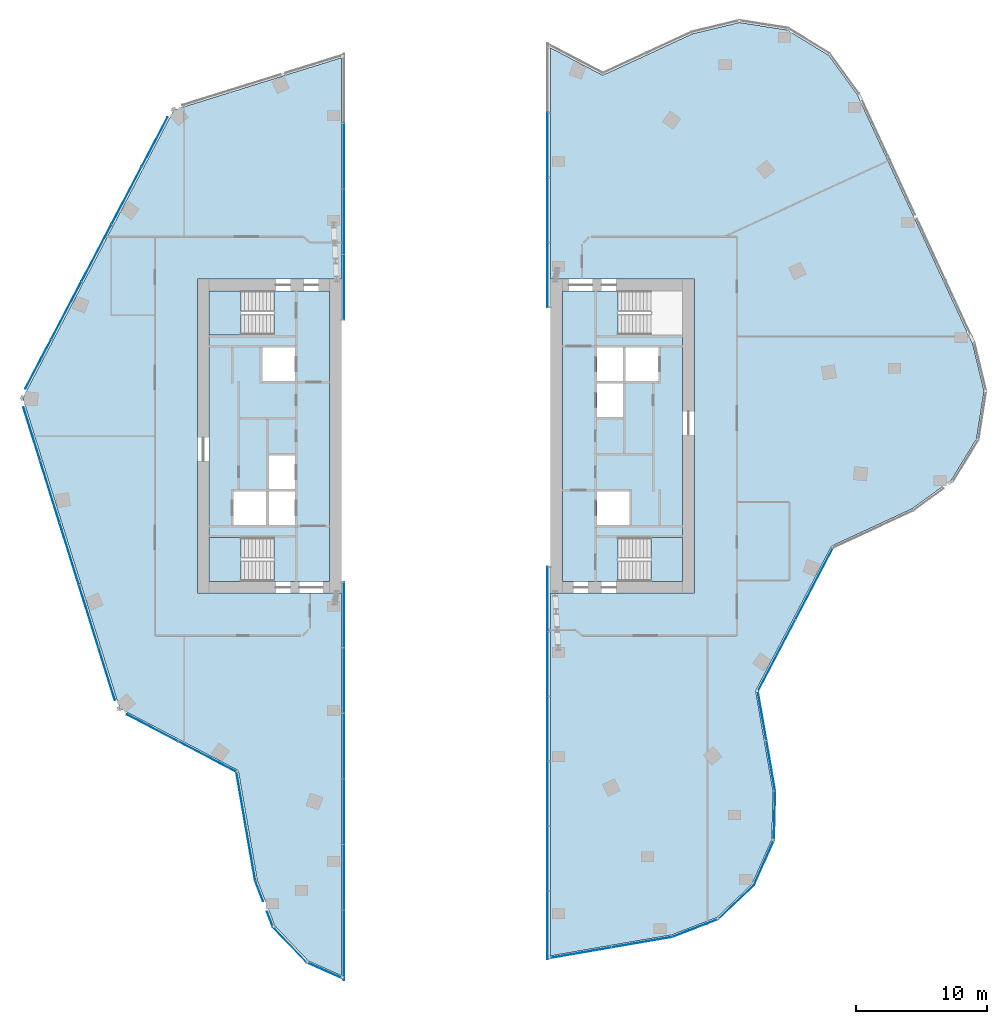
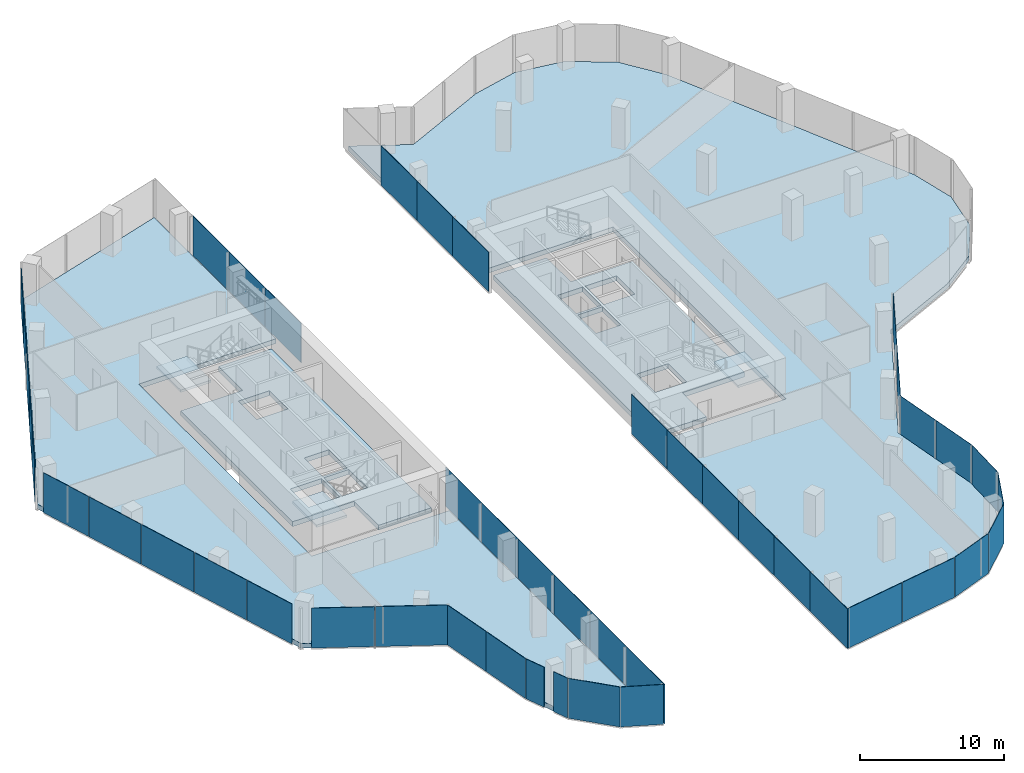
# One storey, part 16 of 23: 46 plates, 7 slabs, 19 elements without a shape of their own.
"""IFC4 building model written with IfcOpenShell, lengths in metres."""

from ifc_helpers import new_model, si_unit, direction, frame, origin, origin_2d, place, context, subcontext, project, spatial, polyline, rectangle, outline, extrude, material, layer, layer_set, type_object, element, aggregate, save


model = new_model("IFC4")

# Units and contexts
model_context = context("Model", 3, precision=1e-05, world=origin(), true_north=direction((0.0, 1.0)))
body_context = subcontext(model_context, "Body", "Model", "MODEL_VIEW")
ifc_project = project(units=[si_unit("LENGTHUNIT", "METRE"), si_unit("AREAUNIT", "SQUARE_METRE"), si_unit("VOLUMEUNIT", "CUBIC_METRE"), si_unit("PLANEANGLEUNIT", "RADIAN"), si_unit("MASSUNIT", "GRAM", prefix="KILO")], contexts=[model_context])

# Site, building, storey
site_placement = place(None, origin())
site = spatial("IfcSite", under=ifc_project, at=site_placement, CompositionType="ELEMENT")
building_placement = place(site_placement, origin())
building = spatial("IfcBuilding", under=site, at=building_placement, Name="Orlundy Tower", CompositionType="ELEMENT")
storey_placement = place(building_placement, frame((0.0, 0.0, 264.0)))
storey = spatial("IfcBuildingStorey", under=building, at=storey_placement, Name="L70", CompositionType="ELEMENT", Elevation=264.0)

# Curtain wall, plates
ifc_material_1 = material(Name="Aluminium bronze anodised", Category="aluminium")
curtain_wall_type = type_object("IfcCurtainWallType", Name="CW1 wall", PredefinedType="NOTDEFINED", material=ifc_material_1)
curtain_wall_1_placement = place(storey_placement, origin())
curtain_wall_1 = element("IfcCurtainWall", 1, at=curtain_wall_1_placement, inside=storey, type_object=curtain_wall_type, Name="CW1 run 00", PredefinedType="NOTDEFINED")
ifc_material_2 = material(Name="Tinted glass", Category="glass")
ifc_layer_1 = layer(ifc_material_2, 0.031982421875)
ifc_layer_set_1 = layer_set([ifc_layer_1], Name="CW1 glass panel 32")
plate_type_1 = type_object("IfcPlateType", Name="CW1 glass panel 32", PredefinedType="CURTAIN_PANEL", material=ifc_layer_set_1)
plate_1_placement = place(storey_placement, frame((-18.236328125, -24.4970703125, -0.280029296875), z_axis=(0.0, 0.0, 1.0), x_axis=(-0.885665125804, 0.464324546988, 0.0)))
plate_1 = element("IfcPlate", 2, at=plate_1_placement, type_object=plate_type_1, Name="CW1 panel", PredefinedType="CURTAIN_PANEL", context=body_context, shape_type="SweptSolid", body=[
    extrude(rectangle(XDim=5.01220703125, YDim=0.031982421875, at=origin_2d()), origin(), (0.0, 0.0, 1.0), 3.3798828125),
])
plate_2_placement = place(storey_placement, frame((-22.4384765625, -22.2939453125, -0.280029296875), z_axis=(0.0, 0.0, 1.0), x_axis=(-0.885665125804, 0.464324546988, 0.0)))
plate_2 = element("IfcPlate", 3, at=plate_2_placement, type_object=plate_type_1, Name="CW1 panel", PredefinedType="CURTAIN_PANEL", context=body_context, shape_type="SweptSolid", body=[
    extrude(rectangle(XDim=4.376953125, YDim=0.031982421875, at=origin_2d()), origin(), (0.0, 0.0, 1.0), 3.3798828125),
])
aggregate(curtain_wall_1, [plate_1, plate_2])

curtain_wall_2_placement = place(storey_placement, origin())
curtain_wall_2 = element("IfcCurtainWall", 4, at=curtain_wall_2_placement, inside=storey, type_object=curtain_wall_type, Name="CW1 run 01", PredefinedType="NOTDEFINED")
plate_3_placement = place(storey_placement, frame((-25.935302734375, -18.14599609375, -0.280029296875), z_axis=(0.0, 0.0, 1.0), x_axis=(-0.297954226643, 0.954580158408, 0.0)))
plate_3 = element("IfcPlate", 5, at=plate_3_placement, type_object=plate_type_1, Name="CW1 panel", PredefinedType="CURTAIN_PANEL", context=body_context, shape_type="SweptSolid", body=[
    extrude(rectangle(XDim=4.228271484375, YDim=0.031982421875, at=origin_2d()), origin(), (0.0, 0.0, 1.0), 3.3798828125),
])
plate_4_placement = place(storey_placement, frame((-27.31298828125, -13.731689453125, -0.280029296875), z_axis=(0.0, 0.0, 1.0), x_axis=(-0.297954226643, 0.954580158408, 0.0)))
plate_4 = element("IfcPlate", 6, at=plate_4_placement, type_object=plate_type_1, Name="CW1 panel", PredefinedType="CURTAIN_PANEL", context=body_context, shape_type="SweptSolid", body=[
    extrude(rectangle(XDim=4.920654296875, YDim=0.031982421875, at=origin_2d()), origin(), (0.0, 0.0, 1.0), 3.3798828125),
])
plate_5_placement = place(storey_placement, frame((-28.7939453125, -8.98681640625, -0.280029296875), z_axis=(0.0, 0.0, 1.0), x_axis=(-0.297954226643, 0.954580158408, 0.0)))
plate_5 = element("IfcPlate", 7, at=plate_5_placement, type_object=plate_type_1, Name="CW1 panel", PredefinedType="CURTAIN_PANEL", context=body_context, shape_type="SweptSolid", body=[
    extrude(rectangle(XDim=4.920654296875, YDim=0.031982421875, at=origin_2d()), origin(), (0.0, 0.0, 1.0), 3.3798828125),
])
plate_6_placement = place(storey_placement, frame((-30.275146484375, -4.241943359375, -0.280029296875), z_axis=(0.0, 0.0, 1.0), x_axis=(-0.297954226643, 0.954580158408, 0.0)))
plate_6 = element("IfcPlate", 8, at=plate_6_placement, type_object=plate_type_1, Name="CW1 panel", PredefinedType="CURTAIN_PANEL", context=body_context, shape_type="SweptSolid", body=[
    extrude(rectangle(XDim=4.920654296875, YDim=0.031982421875, at=origin_2d()), origin(), (0.0, 0.0, 1.0), 3.3798828125),
])
plate_7_placement = place(storey_placement, frame((-31.653076171875, 0.1728515625, -0.280029296875), z_axis=(0.0, 0.0, 1.0), x_axis=(-0.297954226643, 0.954580158408, 0.0)))
plate_7 = element("IfcPlate", 9, at=plate_7_placement, type_object=plate_type_1, Name="CW1 panel", PredefinedType="CURTAIN_PANEL", context=body_context, shape_type="SweptSolid", body=[
    extrude(rectangle(XDim=4.229248046875, YDim=0.031982421875, at=origin_2d()), origin(), (0.0, 0.0, 1.0), 3.3798828125),
])
aggregate(curtain_wall_2, [plate_3, plate_4, plate_5, plate_6, plate_7])

curtain_wall_3_placement = place(storey_placement, origin())
curtain_wall_3 = element("IfcCurtainWall", 10, at=curtain_wall_3_placement, inside=storey, type_object=curtain_wall_type, Name="CW1 run 02", PredefinedType="NOTDEFINED")
plate_8_placement = place(storey_placement, frame((-31.17041015625, 5.5078125, -0.280029296875), z_axis=(0.0, 0.0, 1.0), x_axis=(0.464336233904, 0.885658998646, 0.0)))
plate_8 = element("IfcPlate", 11, at=plate_8_placement, type_object=plate_type_1, Name="CW1 panel", PredefinedType="CURTAIN_PANEL", context=body_context, shape_type="SweptSolid", body=[
    extrude(rectangle(XDim=4.228271484375, YDim=0.031982421875, at=origin_2d()), origin(), (0.0, 0.0, 1.0), 3.3798828125),
])
plate_9_placement = place(storey_placement, frame((-29.023193359375, 9.603515625, -0.280029296875), z_axis=(0.0, 0.0, 1.0), x_axis=(0.464336233904, 0.885658998646, 0.0)))
plate_9 = element("IfcPlate", 12, at=plate_9_placement, type_object=plate_type_1, Name="CW1 panel", PredefinedType="CURTAIN_PANEL", context=body_context, shape_type="SweptSolid", body=[
    extrude(rectangle(XDim=4.920654296875, YDim=0.031982421875, at=origin_2d()), origin(), (0.0, 0.0, 1.0), 3.3798828125),
])
plate_10_placement = place(storey_placement, frame((-26.71533203125, 14.005615234375, -0.280029296875), z_axis=(0.0, 0.0, 1.0), x_axis=(0.464336233904, 0.885658998646, 0.0)))
plate_10 = element("IfcPlate", 13, at=plate_10_placement, type_object=plate_type_1, Name="CW1 panel", PredefinedType="CURTAIN_PANEL", context=body_context, shape_type="SweptSolid", body=[
    extrude(rectangle(XDim=4.920654296875, YDim=0.031982421875, at=origin_2d()), origin(), (0.0, 0.0, 1.0), 3.3798828125),
])
plate_11_placement = place(storey_placement, frame((-24.4072265625, 18.407958984375, -0.280029296875), z_axis=(0.0, 0.0, 1.0), x_axis=(0.464336233904, 0.885658998646, 0.0)))
plate_11 = element("IfcPlate", 14, at=plate_11_placement, type_object=plate_type_1, Name="CW1 panel", PredefinedType="CURTAIN_PANEL", context=body_context, shape_type="SweptSolid", body=[
    extrude(rectangle(XDim=4.920654296875, YDim=0.031982421875, at=origin_2d()), origin(), (0.0, 0.0, 1.0), 3.3798828125),
])
plate_12_placement = place(storey_placement, frame((-22.259765625, 22.50390625, -0.280029296875), z_axis=(0.0, 0.0, 1.0), x_axis=(0.464336233904, 0.885658998646, 0.0)))
plate_12 = element("IfcPlate", 15, at=plate_12_placement, type_object=plate_type_1, Name="CW1 panel", PredefinedType="CURTAIN_PANEL", context=body_context, shape_type="SweptSolid", body=[
    extrude(rectangle(XDim=4.229248046875, YDim=0.031982421875, at=origin_2d()), origin(), (0.0, 0.0, 1.0), 3.3798828125),
])
aggregate(curtain_wall_3, [plate_8, plate_9, plate_10, plate_11, plate_12])

# Curtain wall, plate
curtain_wall_4_placement = place(storey_placement, origin())
curtain_wall_4 = element("IfcCurtainWall", 16, at=curtain_wall_4_placement, inside=storey, type_object=curtain_wall_type, Name="CW1 run 05", PredefinedType="NOTDEFINED")
plate_13_placement = place(storey_placement, frame((-9.2275390625, -40.85791015625, -0.280029296875), z_axis=(0.0, 0.0, 1.0), x_axis=(-0.914125034719, 0.405432387581, 0.0)))
plate_13 = element("IfcPlate", 17, at=plate_13_placement, type_object=plate_type_1, Name="CW1 panel", PredefinedType="CURTAIN_PANEL", context=body_context, shape_type="SweptSolid", body=[
    extrude(rectangle(XDim=3.044677734375, YDim=0.031982421875, at=origin_2d()), origin(), (0.0, 0.0, 1.0), 3.3798828125),
])
aggregate(curtain_wall_4, [plate_13])

curtain_wall_5_placement = place(storey_placement, origin())
curtain_wall_5 = element("IfcCurtainWall", 18, at=curtain_wall_5_placement, inside=storey, type_object=curtain_wall_type, Name="CW1 run 06", PredefinedType="NOTDEFINED")
plate_14_placement = place(storey_placement, frame((-11.919677734375, -38.87451171875, -0.280029296875), z_axis=(0.0, 0.0, 1.0), x_axis=(-0.689493494749, 0.724291875351, 0.0)))
plate_14 = element("IfcPlate", 19, at=plate_14_placement, type_object=plate_type_1, Name="CW1 panel", PredefinedType="CURTAIN_PANEL", context=body_context, shape_type="SweptSolid", body=[
    extrude(rectangle(XDim=3.772216796875, YDim=0.031982421875, at=origin_2d()), origin(), (0.0, 0.0, 1.0), 3.3798828125),
])
aggregate(curtain_wall_5, [plate_14])

# Curtain wall, plates
curtain_wall_6_placement = place(storey_placement, origin())
curtain_wall_6 = element("IfcCurtainWall", 20, at=curtain_wall_6_placement, inside=storey, type_object=curtain_wall_type, Name="CW1 run 07", PredefinedType="NOTDEFINED")
plate_15_placement = place(storey_placement, frame((-13.44482421875, -36.92578125, -0.280029296875), z_axis=(0.0, 0.0, 1.0), x_axis=(-0.359593615358, 0.933109013885, 0.0)))
plate_15 = element("IfcPlate", 21, at=plate_15_placement, type_object=plate_type_1, Name="CW1 panel", PredefinedType="CURTAIN_PANEL", context=body_context, shape_type="SweptSolid", body=[
    extrude(rectangle(XDim=1.2490234375, YDim=0.031982421875, at=origin_2d()), origin(), (0.0, 0.0, 1.0), 3.3798828125),
])
plate_16_placement = place(storey_placement, frame((-14.267822265625, -34.7900390625, -0.280029296875), z_axis=(0.0, 0.0, 1.0), x_axis=(-0.359593615358, 0.933109013885, 0.0)))
plate_16 = element("IfcPlate", 22, at=plate_16_placement, type_object=plate_type_1, Name="CW1 panel", PredefinedType="CURTAIN_PANEL", context=body_context, shape_type="SweptSolid", body=[
    extrude(rectangle(XDim=1.634521484375, YDim=0.031982421875, at=origin_2d()), origin(), (0.0, 0.0, 1.0), 3.3798828125),
])
aggregate(curtain_wall_6, [plate_15, plate_16])

curtain_wall_7_placement = place(storey_placement, origin())
curtain_wall_7 = element("IfcCurtainWall", 23, at=curtain_wall_7_placement, inside=storey, type_object=curtain_wall_type, Name="CW1 run 08", PredefinedType="NOTDEFINED")
plate_17_placement = place(storey_placement, frame((-14.9365234375, -31.89404296875, -0.280029296875), z_axis=(0.0, 0.0, 1.0), x_axis=(-0.170762449807, 0.985312227538, 0.0)))
plate_17 = element("IfcPlate", 24, at=plate_17_placement, type_object=plate_type_1, Name="CW1 panel", PredefinedType="CURTAIN_PANEL", context=body_context, shape_type="SweptSolid", body=[
    extrude(rectangle(XDim=4.232177734375, YDim=0.031982421875, at=origin_2d()), origin(), (0.0, 0.0, 1.0), 3.3798828125),
])
plate_18_placement = place(storey_placement, frame((-15.66162109375, -27.710205078125, -0.280029296875), z_axis=(0.0, 0.0, 1.0), x_axis=(-0.170762449807, 0.985312227538, 0.0)))
plate_18 = element("IfcPlate", 25, at=plate_18_placement, type_object=plate_type_1, Name="CW1 panel", PredefinedType="CURTAIN_PANEL", context=body_context, shape_type="SweptSolid", body=[
    extrude(rectangle(XDim=4.160400390625, YDim=0.031982421875, at=origin_2d()), origin(), (0.0, 0.0, 1.0), 3.3798828125),
])
aggregate(curtain_wall_7, [plate_17, plate_18])

curtain_wall_8_placement = place(storey_placement, origin())
curtain_wall_8 = element("IfcCurtainWall", 26, at=curtain_wall_8_placement, inside=storey, type_object=curtain_wall_type, Name="CW1 run 111", PredefinedType="NOTDEFINED")
plate_19_placement = place(storey_placement, frame((28.15771484375, -11.25439453125, -0.280029296875), z_axis=(0.0, 0.0, 1.0), x_axis=(-0.464333145939, -0.885660617608, 0.0)))
plate_19 = element("IfcPlate", 27, at=plate_19_placement, type_object=plate_type_1, Name="CW1 panel", PredefinedType="CURTAIN_PANEL", context=body_context, shape_type="SweptSolid", body=[
    extrude(rectangle(XDim=6.16259765625, YDim=0.031982421875, at=origin_2d()), origin(), (0.0, 0.0, 1.0), 3.3798828125),
])
plate_20_placement = place(storey_placement, frame((25.27294921875, -16.7568359375, -0.280029296875), z_axis=(0.0, 0.0, 1.0), x_axis=(-0.464333145939, -0.885660617608, 0.0)))
plate_20 = element("IfcPlate", 28, at=plate_20_placement, type_object=plate_type_1, Name="CW1 panel", PredefinedType="CURTAIN_PANEL", context=body_context, shape_type="SweptSolid", body=[
    extrude(rectangle(XDim=6.16259765625, YDim=0.031982421875, at=origin_2d()), origin(), (0.0, 0.0, 1.0), 3.3798828125),
])
aggregate(curtain_wall_8, [plate_19, plate_20])

curtain_wall_9_placement = place(storey_placement, origin())
curtain_wall_9 = element("IfcCurtainWall", 29, at=curtain_wall_9_placement, inside=storey, type_object=curtain_wall_type, Name="CW1 run 112", PredefinedType="NOTDEFINED")
plate_21_placement = place(storey_placement, frame((24.16748046875, -21.363525390625, -0.280029296875), z_axis=(0.0, 0.0, 1.0), x_axis=(0.170728522047, -0.985318106887, 0.0)))
plate_21 = element("IfcPlate", 30, at=plate_21_placement, type_object=plate_type_1, Name="CW1 panel", PredefinedType="CURTAIN_PANEL", context=body_context, shape_type="SweptSolid", body=[
    extrude(rectangle(XDim=3.8115234375, YDim=0.031982421875, at=origin_2d()), origin(), (0.0, 0.0, 1.0), 3.3798828125),
])
plate_22_placement = place(storey_placement, frame((24.830810546875, -25.19140625, -0.280029296875), z_axis=(0.0, 0.0, 1.0), x_axis=(0.170728522047, -0.985318106887, 0.0)))
plate_22 = element("IfcPlate", 31, at=plate_22_placement, type_object=plate_type_1, Name="CW1 panel", PredefinedType="CURTAIN_PANEL", context=body_context, shape_type="SweptSolid", body=[
    extrude(rectangle(XDim=3.858154296875, YDim=0.031982421875, at=origin_2d()), origin(), (0.0, 0.0, 1.0), 3.3798828125),
])
aggregate(curtain_wall_9, [plate_21, plate_22])

# Curtain wall, plate
curtain_wall_10_placement = place(storey_placement, origin())
curtain_wall_10 = element("IfcCurtainWall", 32, at=curtain_wall_10_placement, inside=storey, type_object=curtain_wall_type, Name="CW1 run 113", PredefinedType="NOTDEFINED")
plate_23_placement = place(storey_placement, frame((25.117919921875, -29.00634765625, -0.280029296875), z_axis=(0.0, 0.0, 1.0), x_axis=(-0.024553998372, -0.999698505132, 0.0)))
plate_23 = element("IfcPlate", 33, at=plate_23_placement, type_object=plate_type_1, Name="CW1 panel", PredefinedType="CURTAIN_PANEL", context=body_context, shape_type="SweptSolid", body=[
    extrude(rectangle(XDim=3.729736328125, YDim=0.031982421875, at=origin_2d()), origin(), (0.0, 0.0, 1.0), 3.3798828125),
])
aggregate(curtain_wall_10, [plate_23])

curtain_wall_11_placement = place(storey_placement, origin())
curtain_wall_11 = element("IfcCurtainWall", 34, at=curtain_wall_11_placement, inside=storey, type_object=curtain_wall_type, Name="CW1 run 114", PredefinedType="NOTDEFINED")
plate_24_placement = place(storey_placement, frame((24.307373046875, -32.594970703125, -0.280029296875), z_axis=(0.0, 0.0, 1.0), x_axis=(-0.405412554633, -0.914133830763, 0.0)))
plate_24 = element("IfcPlate", 35, at=plate_24_placement, type_object=plate_type_1, Name="CW1 panel", PredefinedType="CURTAIN_PANEL", context=body_context, shape_type="SweptSolid", body=[
    extrude(rectangle(XDim=3.772705078125, YDim=0.031982421875, at=origin_2d()), origin(), (0.0, 0.0, 1.0), 3.3798828125),
])
aggregate(curtain_wall_11, [plate_24])

curtain_wall_12_placement = place(storey_placement, origin())
curtain_wall_12 = element("IfcCurtainWall", 36, at=curtain_wall_12_placement, inside=storey, type_object=curtain_wall_type, Name="CW1 run 115", PredefinedType="NOTDEFINED")
plate_25_placement = place(storey_placement, frame((22.176513671875, -35.619384765625, -0.280029296875), z_axis=(0.0, 0.0, 1.0), x_axis=(-0.7244266007, -0.689351942188, 0.0)))
plate_25 = element("IfcPlate", 37, at=plate_25_placement, type_object=plate_type_1, Name="CW1 panel", PredefinedType="CURTAIN_PANEL", context=body_context, shape_type="SweptSolid", body=[
    extrude(rectangle(XDim=3.771728515625, YDim=0.031982421875, at=origin_2d()), origin(), (0.0, 0.0, 1.0), 3.3798828125),
])
aggregate(curtain_wall_12, [plate_25])

curtain_wall_13_placement = place(storey_placement, origin())
curtain_wall_13 = element("IfcCurtainWall", 38, at=curtain_wall_13_placement, inside=storey, type_object=curtain_wall_type, Name="CW1 run 116", PredefinedType="NOTDEFINED")
plate_26_placement = place(storey_placement, frame((19.06982421875, -37.590576171875, -0.280029296875), z_axis=(0.0, 0.0, 1.0), x_axis=(-0.933018476944, -0.359828461467, 0.0)))
plate_26 = element("IfcPlate", 39, at=plate_26_placement, type_object=plate_type_1, Name="CW1 panel", PredefinedType="CURTAIN_PANEL", context=body_context, shape_type="SweptSolid", body=[
    extrude(rectangle(XDim=3.73095703125, YDim=0.031982421875, at=origin_2d()), origin(), (0.0, 0.0, 1.0), 3.3798828125),
])
aggregate(curtain_wall_13, [plate_26])

# Curtain wall, plates
curtain_wall_14_placement = place(storey_placement, origin())
curtain_wall_14 = element("IfcCurtainWall", 40, at=curtain_wall_14_placement, inside=storey, type_object=curtain_wall_type, Name="CW1 run 117", PredefinedType="NOTDEFINED")
plate_27_placement = place(storey_placement, frame((14.982421875, -38.673583984375, -0.280029296875), z_axis=(0.0, 0.0, 1.0), x_axis=(-0.985315418883, -0.170744034483, 0.0)))
plate_27 = element("IfcPlate", 41, at=plate_27_placement, type_object=plate_type_1, Name="CW1 panel", PredefinedType="CURTAIN_PANEL", context=body_context, shape_type="SweptSolid", body=[
    extrude(rectangle(XDim=4.666015625, YDim=0.031982421875, at=origin_2d()), origin(), (0.0, 0.0, 1.0), 3.3798828125),
])
plate_28_placement = place(storey_placement, frame((10.235107421875, -39.49609375, -0.280029296875), z_axis=(0.0, 0.0, 1.0), x_axis=(-0.985315418883, -0.170744034483, 0.0)))
plate_28 = element("IfcPlate", 42, at=plate_28_placement, type_object=plate_type_1, Name="CW1 panel", PredefinedType="CURTAIN_PANEL", context=body_context, shape_type="SweptSolid", body=[
    extrude(rectangle(XDim=4.869873046875, YDim=0.031982421875, at=origin_2d()), origin(), (0.0, 0.0, 1.0), 3.3798828125),
])
aggregate(curtain_wall_14, [plate_27, plate_28])

curtain_wall_15_placement = place(storey_placement, origin())
curtain_wall_15 = element("IfcCurtainWall", 43, at=curtain_wall_15_placement, inside=storey, type_object=curtain_wall_type, Name="CW1 run 04", PredefinedType="NOTDEFINED")
ifc_material_3 = material(Name="Tinted glass", Category="glass")
ifc_layer_2 = layer(ifc_material_3, 0.035888671875)
ifc_layer_set_2 = layer_set([ifc_layer_2], Name="CW6 glass panel 36")
plate_type_2 = type_object("IfcPlateType", Name="CW6 glass panel 36", PredefinedType="CURTAIN_PANEL", material=ifc_layer_set_2)
plate_29_placement = place(storey_placement, frame((-7.778076171875, 21.41357421875, -0.240234375), z_axis=(0.0, 0.0, 1.0), x_axis=(0.0, -1.0, 0.0)))
plate_29 = element("IfcPlate", 44, at=plate_29_placement, type_object=plate_type_2, Name="CW6 panel", PredefinedType="CURTAIN_PANEL", context=body_context, shape_type="SweptSolid", body=[
    extrude(rectangle(XDim=5.010986328125, YDim=0.035888671875, at=origin_2d()), origin(), (0.0, 0.0, 1.0), 3.340087890625),
])
plate_30_placement = place(storey_placement, frame((-7.778076171875, 16.402587890625, -0.240234375), z_axis=(0.0, 0.0, 1.0), x_axis=(0.0, -1.0, 0.0)))
plate_30 = element("IfcPlate", 45, at=plate_30_placement, type_object=plate_type_2, Name="CW6 panel", PredefinedType="CURTAIN_PANEL", context=body_context, shape_type="SweptSolid", body=[
    extrude(rectangle(XDim=5.010986328125, YDim=0.035888671875, at=origin_2d()), origin(), (0.0, 0.0, 1.0), 3.340087890625),
])
plate_31_placement = place(storey_placement, frame((-7.778076171875, 11.391845703125, -0.240234375), z_axis=(0.0, 0.0, 1.0), x_axis=(0.0, -1.0, 0.0)))
plate_31 = element("IfcPlate", 46, at=plate_31_placement, type_object=plate_type_2, Name="CW6 panel", PredefinedType="CURTAIN_PANEL", context=body_context, shape_type="SweptSolid", body=[
    extrude(rectangle(XDim=5.010986328125, YDim=0.035888671875, at=origin_2d()), origin(), (0.0, 0.0, 1.0), 3.340087890625),
])
plate_32_placement = place(storey_placement, frame((-7.778076171875, -13.662841796875, -0.240234375), z_axis=(0.0, 0.0, 1.0), x_axis=(0.0, -1.0, 0.0)))
plate_32 = element("IfcPlate", 47, at=plate_32_placement, type_object=plate_type_2, Name="CW6 panel", PredefinedType="CURTAIN_PANEL", context=body_context, shape_type="SweptSolid", body=[
    extrude(rectangle(XDim=5.010986328125, YDim=0.035888671875, at=origin_2d()), origin(), (0.0, 0.0, 1.0), 3.340087890625),
])
plate_33_placement = place(storey_placement, frame((-7.778076171875, -18.673828125, -0.240234375), z_axis=(0.0, 0.0, 1.0), x_axis=(0.0, -1.0, 0.0)))
plate_33 = element("IfcPlate", 48, at=plate_33_placement, type_object=plate_type_2, Name="CW6 panel", PredefinedType="CURTAIN_PANEL", context=body_context, shape_type="SweptSolid", body=[
    extrude(rectangle(XDim=5.010986328125, YDim=0.035888671875, at=origin_2d()), origin(), (0.0, 0.0, 1.0), 3.340087890625),
])
plate_34_placement = place(storey_placement, frame((-7.778076171875, -23.684814453125, -0.240234375), z_axis=(0.0, 0.0, 1.0), x_axis=(0.0, -1.0, 0.0)))
plate_34 = element("IfcPlate", 49, at=plate_34_placement, type_object=plate_type_2, Name="CW6 panel", PredefinedType="CURTAIN_PANEL", context=body_context, shape_type="SweptSolid", body=[
    extrude(rectangle(XDim=5.010986328125, YDim=0.035888671875, at=origin_2d()), origin(), (0.0, 0.0, 1.0), 3.340087890625),
])
plate_35_placement = place(storey_placement, frame((-7.778076171875, -28.695556640625, -0.240234375), z_axis=(0.0, 0.0, 1.0), x_axis=(0.0, -1.0, 0.0)))
plate_35 = element("IfcPlate", 50, at=plate_35_placement, type_object=plate_type_2, Name="CW6 panel", PredefinedType="CURTAIN_PANEL", context=body_context, shape_type="SweptSolid", body=[
    extrude(rectangle(XDim=5.010986328125, YDim=0.035888671875, at=origin_2d()), origin(), (0.0, 0.0, 1.0), 3.340087890625),
])
plate_36_placement = place(storey_placement, frame((-7.778076171875, -33.70654296875, -0.240234375), z_axis=(0.0, 0.0, 1.0), x_axis=(0.0, -1.0, 0.0)))
plate_36 = element("IfcPlate", 51, at=plate_36_placement, type_object=plate_type_2, Name="CW6 panel", PredefinedType="CURTAIN_PANEL", context=body_context, shape_type="SweptSolid", body=[
    extrude(rectangle(XDim=5.010986328125, YDim=0.035888671875, at=origin_2d()), origin(), (0.0, 0.0, 1.0), 3.340087890625),
])
plate_37_placement = place(storey_placement, frame((-7.778076171875, -38.88818359375, -0.240234375), z_axis=(0.0, 0.0, 1.0), x_axis=(0.0, -1.0, 0.0)))
plate_37 = element("IfcPlate", 52, at=plate_37_placement, type_object=plate_type_2, Name="CW6 panel", PredefinedType="CURTAIN_PANEL", context=body_context, shape_type="SweptSolid", body=[
    extrude(rectangle(XDim=5.352294921875, YDim=0.035888671875, at=origin_2d()), origin(), (0.0, 0.0, 1.0), 3.340087890625),
])
aggregate(curtain_wall_15, [plate_29, plate_30, plate_31, plate_32, plate_33, plate_34, plate_35, plate_36, plate_37])

curtain_wall_16_placement = place(storey_placement, origin())
curtain_wall_16 = element("IfcCurtainWall", 53, at=curtain_wall_16_placement, inside=storey, type_object=curtain_wall_type, Name="CW1 run 118", PredefinedType="NOTDEFINED")
plate_38_placement = place(storey_placement, frame((7.778076171875, -37.370361328125, -0.240234375), z_axis=(0.0, 0.0, 1.0), x_axis=(0.0, 1.0, 0.0)))
plate_38 = element("IfcPlate", 54, at=plate_38_placement, type_object=plate_type_2, Name="CW6 panel", PredefinedType="CURTAIN_PANEL", context=body_context, shape_type="SweptSolid", body=[
    extrude(rectangle(XDim=5.220703125, YDim=0.035888671875, at=origin_2d()), origin(), (0.0, 0.0, 1.0), 3.340087890625),
])
plate_39_placement = place(storey_placement, frame((7.778076171875, -32.28173828125, -0.240234375), z_axis=(0.0, 0.0, 1.0), x_axis=(0.0, 1.0, 0.0)))
plate_39 = element("IfcPlate", 55, at=plate_39_placement, type_object=plate_type_2, Name="CW6 panel", PredefinedType="CURTAIN_PANEL", context=body_context, shape_type="SweptSolid", body=[
    extrude(rectangle(XDim=4.956787109375, YDim=0.035888671875, at=origin_2d()), origin(), (0.0, 0.0, 1.0), 3.340087890625),
])
plate_40_placement = place(storey_placement, frame((7.778076171875, -27.324951171875, -0.240234375), z_axis=(0.0, 0.0, 1.0), x_axis=(0.0, 1.0, 0.0)))
plate_40 = element("IfcPlate", 56, at=plate_40_placement, type_object=plate_type_2, Name="CW6 panel", PredefinedType="CURTAIN_PANEL", context=body_context, shape_type="SweptSolid", body=[
    extrude(rectangle(XDim=4.956787109375, YDim=0.035888671875, at=origin_2d()), origin(), (0.0, 0.0, 1.0), 3.340087890625),
])
plate_41_placement = place(storey_placement, frame((7.778076171875, -22.367919921875, -0.240234375), z_axis=(0.0, 0.0, 1.0), x_axis=(0.0, 1.0, 0.0)))
plate_41 = element("IfcPlate", 57, at=plate_41_placement, type_object=plate_type_2, Name="CW6 panel", PredefinedType="CURTAIN_PANEL", context=body_context, shape_type="SweptSolid", body=[
    extrude(rectangle(XDim=4.956787109375, YDim=0.035888671875, at=origin_2d()), origin(), (0.0, 0.0, 1.0), 3.340087890625),
])
plate_42_placement = place(storey_placement, frame((7.778076171875, -17.4111328125, -0.240234375), z_axis=(0.0, 0.0, 1.0), x_axis=(0.0, 1.0, 0.0)))
plate_42 = element("IfcPlate", 58, at=plate_42_placement, type_object=plate_type_2, Name="CW6 panel", PredefinedType="CURTAIN_PANEL", context=body_context, shape_type="SweptSolid", body=[
    extrude(rectangle(XDim=4.956787109375, YDim=0.035888671875, at=origin_2d()), origin(), (0.0, 0.0, 1.0), 3.340087890625),
])
plate_43_placement = place(storey_placement, frame((7.778076171875, -12.454345703125, -0.240234375), z_axis=(0.0, 0.0, 1.0), x_axis=(0.0, 1.0, 0.0)))
plate_43 = element("IfcPlate", 59, at=plate_43_placement, type_object=plate_type_2, Name="CW6 panel", PredefinedType="CURTAIN_PANEL", context=body_context, shape_type="SweptSolid", body=[
    extrude(rectangle(XDim=4.956787109375, YDim=0.035888671875, at=origin_2d()), origin(), (0.0, 0.0, 1.0), 3.340087890625),
])
plate_44_placement = place(storey_placement, frame((7.778076171875, 12.330078125, -0.240234375), z_axis=(0.0, 0.0, 1.0), x_axis=(0.0, 1.0, 0.0)))
plate_44 = element("IfcPlate", 60, at=plate_44_placement, type_object=plate_type_2, Name="CW6 panel", PredefinedType="CURTAIN_PANEL", context=body_context, shape_type="SweptSolid", body=[
    extrude(rectangle(XDim=4.956787109375, YDim=0.035888671875, at=origin_2d()), origin(), (0.0, 0.0, 1.0), 3.340087890625),
])
plate_45_placement = place(storey_placement, frame((7.778076171875, 17.286865234375, -0.240234375), z_axis=(0.0, 0.0, 1.0), x_axis=(0.0, 1.0, 0.0)))
plate_45 = element("IfcPlate", 61, at=plate_45_placement, type_object=plate_type_2, Name="CW6 panel", PredefinedType="CURTAIN_PANEL", context=body_context, shape_type="SweptSolid", body=[
    extrude(rectangle(XDim=4.956787109375, YDim=0.035888671875, at=origin_2d()), origin(), (0.0, 0.0, 1.0), 3.340087890625),
])
plate_46_placement = place(storey_placement, frame((7.778076171875, 22.24365234375, -0.240234375), z_axis=(0.0, 0.0, 1.0), x_axis=(0.0, 1.0, 0.0)))
plate_46 = element("IfcPlate", 62, at=plate_46_placement, type_object=plate_type_2, Name="CW6 panel", PredefinedType="CURTAIN_PANEL", context=body_context, shape_type="SweptSolid", body=[
    extrude(rectangle(XDim=4.956787109375, YDim=0.035888671875, at=origin_2d()), origin(), (0.0, 0.0, 1.0), 3.340087890625),
])
aggregate(curtain_wall_16, [plate_38, plate_39, plate_40, plate_41, plate_42, plate_43, plate_44, plate_45, plate_46])

# Slabs
ifc_material_4 = material(Name="Concrete C50/60", Category="concrete")
ifc_layer_3 = layer(ifc_material_4, 0.409912109375)
ifc_layer_set_3 = layer_set([ifc_layer_3], Name="Core Floor Slab 410")
slab_type_1 = type_object("IfcSlabType", Name="Core Floor Slab 410", PredefinedType="FLOOR", material=ifc_layer_set_3)
slab_1_placement = place(storey_placement, frame((0.0, 0.0, -0.409912109375)))
element("IfcSlab", 63, at=slab_1_placement, inside=storey, type_object=slab_type_1, Name="Core floor W52", PredefinedType="FLOOR", context=body_context, shape_type="SweptSolid", body=[
    extrude(outline(polyline([(-18.10009765625, 7.75), (-13.14501953125, 7.75), (-13.14501953125, 11.10009765625), (-8.89990234375, 11.10009765625), (-8.89990234375, -11.10009765625), (-13.14501953125, -11.10009765625), (-13.14501953125, -7.75), (-18.10009765625, -7.75), (-18.10009765625, 7.75)]), holes=[polyline([(-13.5400390625, -4.22509765625), (-13.5400390625, -6.77490234375), (-11.5400390625, -6.77490234375), (-11.5400390625, -4.22509765625), (-13.5400390625, -4.22509765625)]), polyline([(-13.739990234375, -4.22509765625), (-16.239990234375, -4.22509765625), (-16.239990234375, -6.77490234375), (-13.739990234375, -6.77490234375), (-13.739990234375, -4.22509765625)]), polyline([(-11.5400390625, -4.02490234375), (-11.5400390625, -1.47509765625), (-13.5400390625, -1.47509765625), (-13.5400390625, -4.02490234375), (-11.5400390625, -4.02490234375)]), polyline([(-14.0400390625, 4.22509765625), (-11.5400390625, 4.22509765625), (-11.5400390625, 6.77490234375), (-14.0400390625, 6.77490234375), (-14.0400390625, 4.22509765625)])]), origin(), (0.0, 0.0, 1.0), 0.409912109375),
])
slab_2_placement = place(storey_placement, frame((0.0, 0.0, -0.409912109375)))
element("IfcSlab", 64, at=slab_2_placement, inside=storey, type_object=slab_type_1, Name="Core floor E52", PredefinedType="FLOOR", context=body_context, shape_type="SweptSolid", body=[
    extrude(outline(polyline([(18.10009765625, -7.75), (13.14501953125, -7.75), (13.14501953125, -11.10009765625), (8.89990234375, -11.10009765625), (8.89990234375, 11.10009765625), (13.14501953125, 11.10009765625), (13.14501953125, 7.75), (18.10009765625, 7.75), (18.10009765625, -7.75)]), holes=[polyline([(13.5400390625, 4.22509765625), (13.5400390625, 6.77490234375), (11.5400390625, 6.77490234375), (11.5400390625, 4.22509765625), (13.5400390625, 4.22509765625)]), polyline([(13.739990234375, 4.22509765625), (16.239990234375, 4.22509765625), (16.239990234375, 6.77490234375), (13.739990234375, 6.77490234375), (13.739990234375, 4.22509765625)]), polyline([(11.5400390625, 4.02490234375), (11.5400390625, 1.47509765625), (13.5400390625, 1.47509765625), (13.5400390625, 4.02490234375), (11.5400390625, 4.02490234375)]), polyline([(14.0400390625, -4.22509765625), (11.5400390625, -4.22509765625), (11.5400390625, -6.77490234375), (14.0400390625, -6.77490234375), (14.0400390625, -4.22509765625)])]), origin(), (0.0, 0.0, 1.0), 0.409912109375),
])

# Stair, slab
ifc_material_5 = material(Name="Concrete C50/60", Category="concrete")
stair_type = type_object("IfcStairType", Name="Exit Stair 20 risers", PredefinedType="HALF_TURN_STAIR", material=ifc_material_5)
stair_1_placement = place(storey_placement, origin())
stair_1 = element("IfcStair", 65, at=stair_1_placement, inside=storey, type_object=stair_type, Name="L70 Exit Stair ST-W1", PredefinedType="HALF_TURN_STAIR")
ifc_material_6 = material(Name="Concrete C50/60", Category="concrete")
ifc_layer_4 = layer(ifc_material_6, 0.199951171875)
ifc_layer_set_4 = layer_set([ifc_layer_4], Name="Exit Stair Landing")
slab_type_2 = type_object("IfcSlabType", Name="Exit Stair Landing", PredefinedType="LANDING", material=ifc_layer_set_4)
slab_3_placement = place(storey_placement, frame((0.0, 0.0, 1.550048828125)))
slab_3 = element("IfcSlab", 66, at=slab_3_placement, type_object=slab_type_2, Name="ST-W1 landing 1", PredefinedType="LANDING", context=body_context, shape_type="SweptSolid", body=[
    extrude(outline(polyline([(-15.659912109375, 11.10009765625), (-18.10009765625, 11.10009765625), (-18.10009765625, 7.75), (-15.659912109375, 7.75), (-15.659912109375, 11.10009765625)])), origin(), (0.0, 0.0, 1.0), 0.199951171875),
])
aggregate(stair_1, [slab_3])

stair_2_placement = place(storey_placement, origin())
stair_2 = element("IfcStair", 67, at=stair_2_placement, inside=storey, type_object=stair_type, Name="L70 Exit Stair ST-W2", PredefinedType="HALF_TURN_STAIR")
slab_4_placement = place(storey_placement, frame((0.0, 0.0, 1.550048828125)))
slab_4 = element("IfcSlab", 68, at=slab_4_placement, type_object=slab_type_2, Name="ST-W2 landing 1", PredefinedType="LANDING", context=body_context, shape_type="SweptSolid", body=[
    extrude(outline(polyline([(-15.659912109375, -7.75), (-18.10009765625, -7.75), (-18.10009765625, -11.10009765625), (-15.659912109375, -11.10009765625), (-15.659912109375, -7.75)])), origin(), (0.0, 0.0, 1.0), 0.199951171875),
])
aggregate(stair_2, [slab_4])

stair_3_placement = place(storey_placement, origin())
stair_3 = element("IfcStair", 69, at=stair_3_placement, inside=storey, type_object=stair_type, Name="L70 Exit Stair ST-E1", PredefinedType="HALF_TURN_STAIR")
slab_5_placement = place(storey_placement, frame((0.0, 0.0, 1.550048828125)))
slab_5 = element("IfcSlab", 70, at=slab_5_placement, type_object=slab_type_2, Name="ST-E1 landing 1", PredefinedType="LANDING", context=body_context, shape_type="SweptSolid", body=[
    extrude(outline(polyline([(15.659912109375, -11.10009765625), (18.10009765625, -11.10009765625), (18.10009765625, -7.75), (15.659912109375, -7.75), (15.659912109375, -11.10009765625)])), origin(), (0.0, 0.0, 1.0), 0.199951171875),
])
aggregate(stair_3, [slab_5])

# Slabs
ifc_material_7 = material(Name="Concrete C45/55", Category="concrete")
ifc_layer_5 = layer(ifc_material_7, 0.39990234375)
ifc_layer_set_5 = layer_set([ifc_layer_5], Name="FLOOR SLAB THICK 400 C45/55")
slab_type_3 = type_object("IfcSlabType", Name="FLOOR SLAB THICK 400 C45/55", PredefinedType="FLOOR", material=ifc_layer_set_5)
slab_6_placement = place(storey_placement, frame((0.0, 0.0, -0.39990234375)))
element("IfcSlab", 71, at=slab_6_placement, inside=storey, type_object=slab_type_3, Name="Floor slab L70", PredefinedType="FLOOR", context=body_context, shape_type="SweptSolid", body=[
    extrude(outline(polyline([(-24.93505859375, -20.800048828125), (-32.340087890625, 2.924072265625), (-20.800048828125, 24.93505859375), (-8.0, 28.929931640625), (-8.0, 12.0), (-19.0, 12.0), (-19.0, -12.0), (-8.0, -12.0), (-8.0, -41.222900390625), (-10.52294921875, -40.10400390625), (-13.0791015625, -37.4189453125), (-14.412109375, -33.9599609375), (-15.868896484375, -25.552978515625), (-24.93505859375, -20.800048828125)])), origin(), (0.0, 0.0, 1.0), 0.39990234375),
])
slab_7_placement = place(storey_placement, frame((0.0, 0.0, -0.39990234375)))
element("IfcSlab", 72, at=slab_7_placement, inside=storey, type_object=slab_type_3, Name="Floor slab L70", PredefinedType="FLOOR", context=body_context, shape_type="SweptSolid", body=[
    extrude(outline(polyline([(18.825927734375, 30.75), (22.428955078125, 31.62109375), (26.091064453125, 31.0458984375), (29.2548828125, 29.114013671875), (31.43798828125, 26.117919921875), (40.257080078125, 7.06005859375), (41.1279296875, 3.45703125), (40.552978515625, -0.205078125), (38.62109375, -3.367919921875), (35.6259765625, -5.551025390625), (29.468994140625, -8.39990234375), (23.6708984375, -19.458984375), (25.0, -27.12890625), (24.908935546875, -30.833984375), (23.406005859375, -34.222900390625), (20.720947265625, -36.778076171875), (17.261962890625, -38.112060546875), (8.0, -39.717041015625), (8.0, -12.0), (19.0, -12.0), (19.0, 12.0), (8.0, 12.0), (8.0, 29.678955078125), (11.990966796875, 27.5869140625), (18.825927734375, 30.75)])), origin(), (0.0, 0.0, 1.0), 0.39990234375),
])

save(model, "model.ifc")
